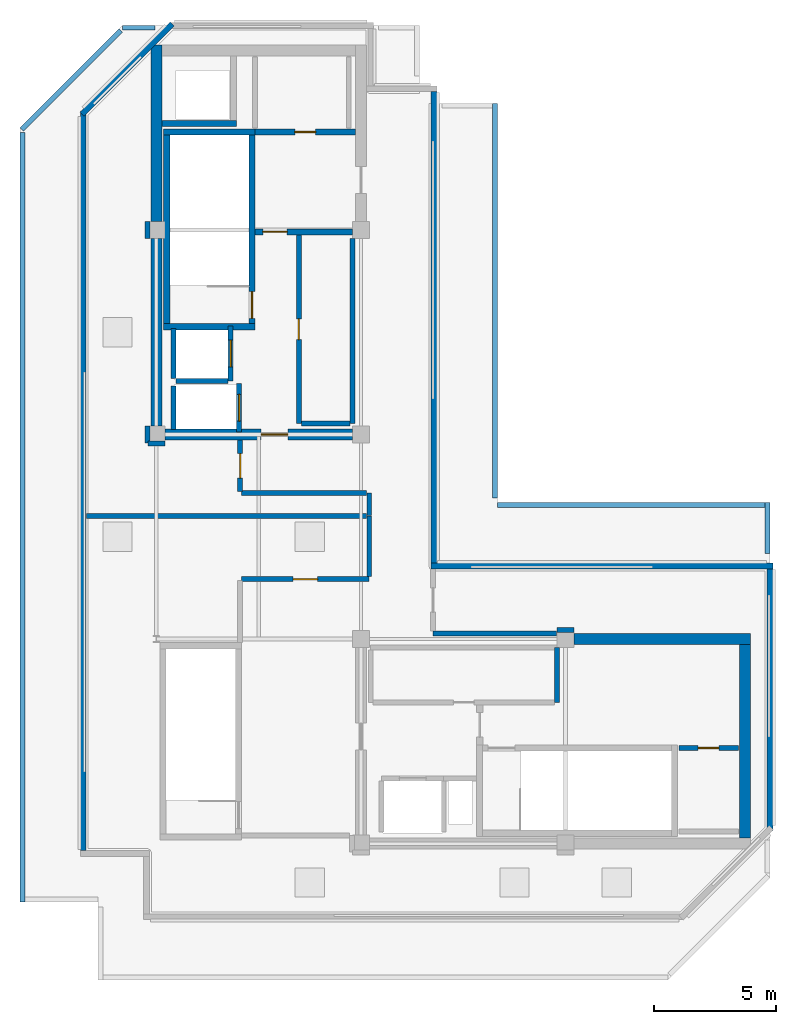
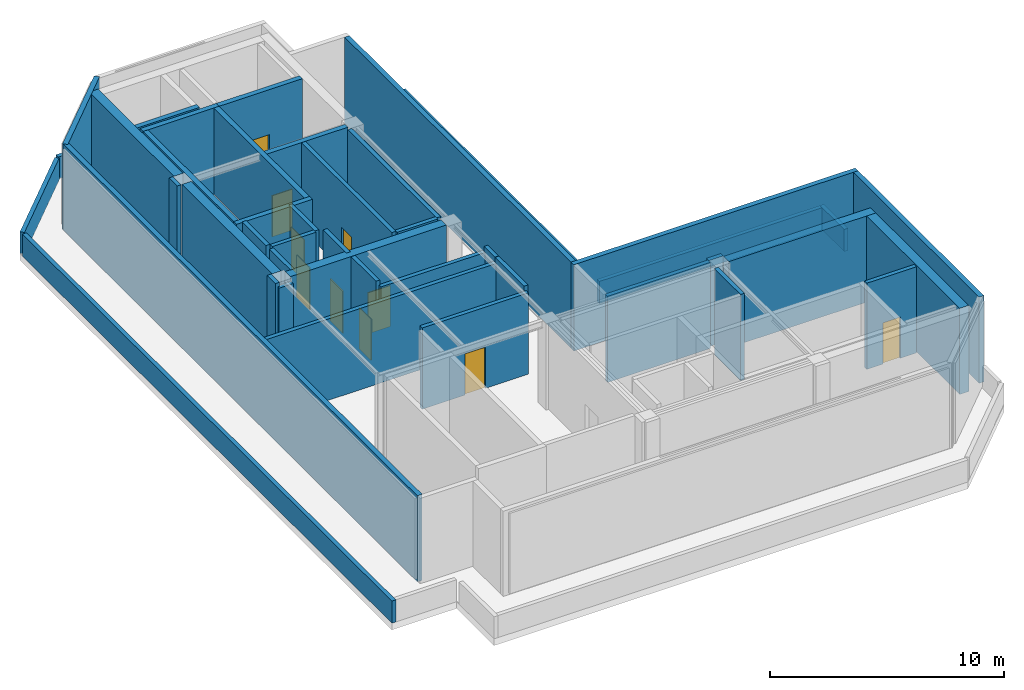
# One storey, part 3 of 5: 44 walls, 10 doors, 10 openings.
"""IFC4 building model written with IfcOpenShell, lengths in metres."""

from ifc_helpers import new_model, si_unit, direction, frame, frame_2d, origin, place, context, subcontext, project, spatial, rectangle, extrude, material, layer, layer_set, type_object, element, fill, save


model = new_model("IFC4")

# Units and contexts
model_context = context("Model", 3, precision=1e-05, world=origin(), true_north=direction((0.0, 1.0)))
body_context = subcontext(model_context, "Body", "Model", "MODEL_VIEW")
ifc_project = project(units=[si_unit("LENGTHUNIT", "METRE"), si_unit("AREAUNIT", "SQUARE_METRE"), si_unit("VOLUMEUNIT", "CUBIC_METRE"), si_unit("PLANEANGLEUNIT", "RADIAN"), si_unit("MASSUNIT", "GRAM", prefix="KILO")], contexts=[model_context])

# Site, building, storey
site_placement = place(None, origin())
site = spatial("IfcSite", under=ifc_project, at=site_placement, CompositionType="ELEMENT")
building_placement = place(site_placement, origin())
building = spatial("IfcBuilding", under=site, at=building_placement, Name="Nerrivon Quay Data Exchange", CompositionType="ELEMENT")
storey_placement = place(building_placement, frame((0.0, 0.0, 338.39990234375)))
storey = spatial("IfcBuildingStorey", under=building, at=storey_placement, Name="L80", CompositionType="ELEMENT", Elevation=338.39990234375)

# Walls
ifc_material_1 = material(Name="Architectural terracotta precast concrete N50 (50 MPa)", Category="masonry")
ifc_layer_1 = layer(ifc_material_1, 0.239990234375)
ifc_layer_set_1 = layer_set([ifc_layer_1], Name="Architectural terracotta precast concrete N50 (50 MPa)")
wall_type_1 = type_object("IfcWallType", Name="EW-PREC-240", PredefinedType="STANDARD", material=ifc_layer_set_1)
wall_1_placement = place(storey_placement, frame((5.39990234375, 8.1201171875, 0.0), z_axis=(0.0, 0.0, 1.0), x_axis=(0.0, 1.0, 0.0)))
element("IfcWall", 1, at=wall_1_placement, inside=storey, type_object=wall_type_1, Name="L80 Plant Enclosure Wall 5", PredefinedType="STANDARD", context=body_context, shape_type="SweptSolid", body=[
    extrude(rectangle(XDim=30.3544921875, YDim=0.239990234375, at=frame_2d((15.17724609375, 0.0))), origin(), (0.0, 0.0, 1.0), 4.5),
])
wall_2_placement = place(storey_placement, frame((5.34716796875, 38.34716796875, 0.0), z_axis=(0.0, 0.0, 1.0), x_axis=(0.707106781187, 0.707106781187, 0.0)))
element("IfcWall", 2, at=wall_2_placement, inside=storey, type_object=wall_type_1, Name="L80 Plant Enclosure Wall 6", PredefinedType="STANDARD", context=body_context, shape_type="SweptSolid", body=[
    extrude(rectangle(XDim=5.240478515625, YDim=0.239990234375, at=frame_2d((2.6201171875, 0.0))), origin(), (0.0, 0.0, 1.0), 4.5),
])
wall_3_placement = place(storey_placement, frame((19.800048828125, 39.280029296875, 0.0), z_axis=(0.0, 0.0, 1.0), x_axis=(0.0, -1.0, 0.0)))
element("IfcWall", 3, at=wall_3_placement, inside=storey, type_object=wall_type_1, Name="L80 Plant Enclosure Wall 10", PredefinedType="STANDARD", context=body_context, shape_type="SweptSolid", body=[
    extrude(rectangle(XDim=19.360107421875, YDim=0.239990234375, at=frame_2d((9.68017578125, 0.0))), origin(), (0.0, 0.0, 1.0), 4.5),
])
wall_4_placement = place(storey_placement, frame((19.679931640625, 19.800048828125, 0.0), z_axis=(0.0, 0.0, 1.0), x_axis=(1.0, 0.0, 0.0)))
element("IfcWall", 4, at=wall_4_placement, inside=storey, type_object=wall_type_1, Name="L80 Plant Enclosure Wall 11", PredefinedType="STANDARD", context=body_context, shape_type="SweptSolid", body=[
    extrude(rectangle(XDim=14.0400390625, YDim=0.239990234375, at=frame_2d((7.02001953125, 0.0))), origin(), (0.0, 0.0, 1.0), 4.5),
])
wall_5_placement = place(storey_placement, frame((33.60009765625, 19.679931640625, 0.0), z_axis=(0.0, 0.0, 1.0), x_axis=(0.0, -1.0, 0.0)))
element("IfcWall", 5, at=wall_5_placement, inside=storey, type_object=wall_type_1, Name="L80 Plant Enclosure Wall 12", PredefinedType="STANDARD", context=body_context, shape_type="SweptSolid", body=[
    extrude(rectangle(XDim=10.754638671875, YDim=0.239990234375, at=frame_2d((5.37744140625, 0.0))), origin(), (0.0, 0.0, 1.0), 4.5),
])
ifc_material_2 = material(Name="Precast concrete N50 (50 MPa)", Category="concrete")
ifc_layer_2 = layer(ifc_material_2, 0.199951171875)
ifc_layer_set_2 = layer_set([ifc_layer_2], Name="Precast concrete N50 (50 MPa)")
wall_type_2 = type_object("IfcWallType", Name="PAR-RC-1", PredefinedType="PARAPET", material=ifc_layer_set_2)
wall_6_placement = place(storey_placement, frame((8.347412109375, 41.89990234375, 0.0), z_axis=(0.0, 0.0, 1.0), x_axis=(-1.0, 0.0, 0.0)))
element("IfcWall", 6, at=wall_6_placement, inside=storey, type_object=wall_type_2, Name="L80 Stepped Crown Parapet 1.3", PredefinedType="PARAPET", context=body_context, shape_type="SweptSolid", body=[
    extrude(rectangle(XDim=1.347412109375, YDim=0.199951171875, at=frame_2d((0.673828125, 0.0))), origin(), (0.0, 0.0, 1.0), 1.150146484375),
])
wall_7_placement = place(storey_placement, frame((6.92919921875, 41.787841796875, 0.0), z_axis=(0.0, 0.0, 1.0), x_axis=(-0.707106781187, -0.707106781187, 0.0)))
element("IfcWall", 7, at=wall_7_placement, inside=storey, type_object=wall_type_2, Name="L80 Stepped Crown Parapet 1.4", PredefinedType="PARAPET", context=body_context, shape_type="SweptSolid", body=[
    extrude(rectangle(XDim=5.73974609375, YDim=0.199951171875, at=frame_2d((2.869873046875, 0.0))), origin(), (0.0, 0.0, 1.0), 1.150146484375),
])
wall_8_placement = place(storey_placement, frame((2.89990234375, 37.60009765625, 0.0), z_axis=(0.0, 0.0, 1.0), x_axis=(0.0, -1.0, 0.0)))
element("IfcWall", 8, at=wall_8_placement, inside=storey, type_object=wall_type_2, Name="L80 Stepped Crown Parapet 1.5", PredefinedType="PARAPET", context=body_context, shape_type="SweptSolid", body=[
    extrude(rectangle(XDim=31.60009765625, YDim=0.199951171875, at=frame_2d((15.800048828125, 0.0))), origin(), (0.0, 0.0, 1.0), 1.150146484375),
])
wall_9_placement = place(storey_placement, frame((33.5, 20.320068359375, 0.0), z_axis=(0.0, 0.0, 1.0), x_axis=(0.0, 1.0, 0.0)))
element("IfcWall", 9, at=wall_9_placement, inside=storey, type_object=wall_type_2, Name="L80 Stepped Crown Parapet 1.11", PredefinedType="PARAPET", context=body_context, shape_type="SweptSolid", body=[
    extrude(rectangle(XDim=2.079833984375, YDim=0.199951171875, at=frame_2d((1.0400390625, 0.0))), origin(), (0.0, 0.0, 1.0), 1.150146484375),
])
wall_10_placement = place(storey_placement, frame((33.39990234375, 22.300048828125, 0.0), z_axis=(0.0, 0.0, 1.0), x_axis=(-1.0, 0.0, 0.0)))
element("IfcWall", 10, at=wall_10_placement, inside=storey, type_object=wall_type_2, Name="L80 Stepped Crown Parapet 1.12", PredefinedType="PARAPET", context=body_context, shape_type="SweptSolid", body=[
    extrude(rectangle(XDim=11.0, YDim=0.199951171875, at=frame_2d((5.5, 0.0))), origin(), (0.0, 0.0, 1.0), 1.150146484375),
])
wall_11_placement = place(storey_placement, frame((22.300048828125, 22.60009765625, 0.0), z_axis=(0.0, 0.0, 1.0), x_axis=(0.0, 1.0, 0.0)))
element("IfcWall", 11, at=wall_11_placement, inside=storey, type_object=wall_type_2, Name="L80 Stepped Crown Parapet 1.13", PredefinedType="PARAPET", context=body_context, shape_type="SweptSolid", body=[
    extrude(rectangle(XDim=16.199951171875, YDim=0.199951171875, at=frame_2d((8.10009765625, 0.0))), origin(), (0.0, 0.0, 1.0), 1.150146484375),
])
ifc_material_3 = material(Name="Concrete N50 (50 MPa)", Category="concrete")
ifc_layer_3 = layer(ifc_material_3, 0.449951171875)
ifc_layer_set_3 = layer_set([ifc_layer_3], Name="Concrete N50 (50 MPa)")
wall_type_3 = type_object("IfcWallType", Name="WALL-CW-550", PredefinedType="SHEAR", material=ifc_layer_set_3)
wall_12_placement = place(storey_placement, frame((8.39990234375, 25.550048828125, 0.0), z_axis=(0.0, 0.0, 1.0), x_axis=(0.0, 1.0, 0.0)))
element("IfcWall", 12, at=wall_12_placement, inside=storey, type_object=wall_type_3, Name="L80 West Split-Core Shear Wall WCW-W1", PredefinedType="SHEAR", context=body_context, shape_type="SweptSolid", body=[
    extrude(rectangle(XDim=7.699951171875, YDim=0.449951171875, at=frame_2d((3.85009765625, 0.0))), origin(), (0.0, 0.0, 1.0), 4.5),
])
wall_13_placement = place(storey_placement, frame((8.39990234375, 33.949951171875, 0.0), z_axis=(0.0, 0.0, 1.0), x_axis=(0.0, 1.0, 0.0)))
element("IfcWall", 13, at=wall_13_placement, inside=storey, type_object=wall_type_3, Name="L80 West Split-Core Shear Wall WCW-W2", PredefinedType="SHEAR", context=body_context, shape_type="SweptSolid", body=[
    extrude(rectangle(XDim=7.25, YDim=0.449951171875, at=frame_2d((3.625, 0.0))), origin(), (0.0, 0.0, 1.0), 4.5),
])

# Wall, opening, door
wall_14_placement = place(storey_placement, frame((8.75, 25.199951171875, 0.0), z_axis=(0.0, 0.0, 1.0), x_axis=(1.0, 0.0, 0.0)))
wall_14 = element("IfcWall", 14, at=wall_14_placement, inside=storey, type_object=wall_type_3, Name="L80 West Split-Core Shear Wall WCW-S1", PredefinedType="SHEAR", context=body_context, shape_type="SweptSolid", body=[
    extrude(rectangle(XDim=7.699951171875, YDim=0.449951171875, at=frame_2d((3.85009765625, 0.0))), origin(), (0.0, 0.0, 1.0), 4.5),
])
opening_1_placement = place(wall_14_placement, frame((3.949951171875, 0.0, 0.0)))
opening_1 = element("IfcOpeningElement", 15, at=opening_1_placement, cuts=wall_14, Name="Opening FD-120", PredefinedType="OPENING", context=body_context, shape_type="SweptSolid", body=[
    extrude(rectangle(XDim=1.10009765625, YDim=2.14990234375, at=frame_2d((0.550048828125, 1.074951171875))), frame((0.0, 0.23486328125, 0.0), z_axis=(0.0, -1.0, 0.0), x_axis=(1.0, 0.0, 0.0)), (0.0, 0.0, 1.0), 0.469970703125),
])
ifc_material_4 = material(Name="Powder-coated galvanized steel sheet", Category="steel")
door_type_1 = type_object("IfcDoorType", Name="DR-FD120-1100", OperationType="NOTDEFINED", PredefinedType="DOOR", material=ifc_material_4)
door_1_placement = place(opening_1_placement, origin())
door_1 = element("IfcDoor", 16, at=door_1_placement, inside=storey, type_object=door_type_1, Name="L80 West Core Lobby Fire Door", OperationType="SINGLE_SWING_LEFT", OverallHeight=2.14990234375, OverallWidth=1.10009765625, PredefinedType="DOOR", context=body_context, shape_type="SweptSolid", body=[
    extrude(rectangle(XDim=1.10009765625, YDim=2.14990234375, at=frame_2d((0.550048828125, 1.074951171875))), frame((0.0, 0.02490234375, 0.0), z_axis=(0.0, -1.0, 0.0), x_axis=(1.0, 0.0, 0.0)), (0.0, 0.0, 1.0), 0.050048828125),
])
fill(opening_1, door_1)

# Walls
wall_15_placement = place(storey_placement, frame((32.574951171875, 8.625, 0.0), z_axis=(0.0, 0.0, 1.0), x_axis=(0.0, 1.0, 0.0)))
element("IfcWall", 17, at=wall_15_placement, inside=storey, type_object=wall_type_3, Name="L80 East Split-Core Shear Wall ECW-E1", PredefinedType="SHEAR", context=body_context, shape_type="SweptSolid", body=[
    extrude(rectangle(XDim=7.949951171875, YDim=0.449951171875, at=frame_2d((3.97509765625, 0.0))), origin(), (0.0, 0.0, 1.0), 4.5),
])
wall_16_placement = place(storey_placement, frame((25.550048828125, 16.800048828125, 0.0), z_axis=(0.0, 0.0, 1.0), x_axis=(1.0, 0.0, 0.0)))
element("IfcWall", 18, at=wall_16_placement, inside=storey, type_object=wall_type_3, Name="L80 East Split-Core Shear Wall ECW-N1", PredefinedType="SHEAR", context=body_context, shape_type="SweptSolid", body=[
    extrude(rectangle(XDim=7.25, YDim=0.449951171875, at=frame_2d((3.625, 0.0))), origin(), (0.0, 0.0, 1.0), 4.5),
])

# Wall, opening, door
ifc_material_5 = material(Name="Gypsum plasterboard on cold-formed framing", Category="gypsum")
ifc_layer_4 = layer(ifc_material_5, 0.199951171875)
ifc_layer_set_4 = layer_set([ifc_layer_4], Name="Gypsum plasterboard on cold-formed framing")
wall_type_4 = type_object("IfcWallType", Name="WALL-FW-200", PredefinedType="PARTITIONING", material=ifc_layer_set_4)
wall_17_placement = place(storey_placement, frame((11.449951171875, 27.39990234375, 0.0), z_axis=(0.0, 0.0, 1.0), x_axis=(0.0, 1.0, 0.0)))
wall_17 = element("IfcWall", 19, at=wall_17_placement, inside=storey, type_object=wall_type_4, Name="L80 Lift Front Wall FFL-1", PredefinedType="PARTITIONING", context=body_context, shape_type="SweptSolid", body=[
    extrude(rectangle(XDim=2.25, YDim=0.199951171875, at=frame_2d((1.125, 0.0))), origin(), (0.0, 0.0, 1.0), 4.5),
])
opening_2_placement = place(wall_17_placement, frame((0.574951171875, 0.0, 0.0)))
opening_2 = element("IfcOpeningElement", 20, at=opening_2_placement, cuts=wall_17, Name="Opening LD-120", PredefinedType="OPENING", context=body_context, shape_type="SweptSolid", body=[
    extrude(rectangle(XDim=1.10009765625, YDim=2.199951171875, at=frame_2d((0.550048828125, 1.10009765625))), frame((0.0, 0.10986328125, 0.0), z_axis=(0.0, -1.0, 0.0), x_axis=(1.0, 0.0, 0.0)), (0.0, 0.0, 1.0), 0.219970703125),
])
door_type_2 = type_object("IfcDoorType", Name="DR-LIFT-LD120", OperationType="DOUBLE_DOOR_SLIDING", PredefinedType="DOOR", material=ifc_material_4)
door_2_placement = place(opening_2_placement, origin())
door_2 = element("IfcDoor", 21, at=door_2_placement, inside=storey, type_object=door_type_2, Name="L80 Lift Landing Sliding Door FFL-1", OperationType="DOUBLE_DOOR_SLIDING", OverallHeight=2.199951171875, OverallWidth=1.10009765625, PredefinedType="DOOR", context=body_context, shape_type="SweptSolid", body=[
    extrude(rectangle(XDim=1.10009765625, YDim=2.199951171875, at=frame_2d((0.550048828125, 1.10009765625))), frame((0.0, 0.02490234375, 0.0), z_axis=(0.0, -1.0, 0.0), x_axis=(1.0, 0.0, 0.0)), (0.0, 0.0, 1.0), 0.050048828125),
])
fill(opening_2, door_2)

# Walls
wall_18_placement = place(storey_placement, frame((9.10009765625, 27.5, 0.0), z_axis=(0.0, 0.0, 1.0), x_axis=(0.0, 1.0, 0.0)))
element("IfcWall", 22, at=wall_18_placement, inside=storey, type_object=wall_type_4, Name="L80 Lift Shaft Wall FFL-1 WEST", PredefinedType="PARTITIONING", context=body_context, shape_type="SweptSolid", body=[
    extrude(rectangle(XDim=2.050048828125, YDim=0.199951171875, at=frame_2d((1.02490234375, 0.0))), origin(), (0.0, 0.0, 1.0), 4.5),
])
wall_19_placement = place(storey_placement, frame((9.199951171875, 27.39990234375, 0.0), z_axis=(0.0, 0.0, 1.0), x_axis=(1.0, 0.0, 0.0)))
element("IfcWall", 23, at=wall_19_placement, inside=storey, type_object=wall_type_4, Name="L80 Lift Shaft Wall FFL-1 SOUTH", PredefinedType="PARTITIONING", context=body_context, shape_type="SweptSolid", body=[
    extrude(rectangle(XDim=2.150146484375, YDim=0.199951171875, at=frame_2d((1.0751953125, 0.0))), origin(), (0.0, 0.0, 1.0), 4.5),
])

# Wall, opening, door
wall_20_placement = place(storey_placement, frame((11.800048828125, 25.300048828125, 0.0), z_axis=(0.0, 0.0, 1.0), x_axis=(0.0, 1.0, 0.0)))
wall_20 = element("IfcWall", 24, at=wall_20_placement, inside=storey, type_object=wall_type_4, Name="L80 Lift Front Wall SVL-1", PredefinedType="PARTITIONING", context=body_context, shape_type="SweptSolid", body=[
    extrude(rectangle(XDim=2.0, YDim=0.199951171875, at=frame_2d((1.0, 0.0))), origin(), (0.0, 0.0, 1.0), 4.5),
])
opening_3_placement = place(wall_20_placement, frame((0.449951171875, 0.0, 0.0)))
opening_3 = element("IfcOpeningElement", 25, at=opening_3_placement, cuts=wall_20, Name="Opening LD-120", PredefinedType="OPENING", context=body_context, shape_type="SweptSolid", body=[
    extrude(rectangle(XDim=1.10009765625, YDim=2.199951171875, at=frame_2d((0.550048828125, 1.10009765625))), frame((0.0, 0.10986328125, 0.0), z_axis=(0.0, -1.0, 0.0), x_axis=(1.0, 0.0, 0.0)), (0.0, 0.0, 1.0), 0.219970703125),
])
door_3_placement = place(opening_3_placement, origin())
door_3 = element("IfcDoor", 26, at=door_3_placement, inside=storey, type_object=door_type_2, Name="L80 Lift Landing Sliding Door SVL-1", OperationType="DOUBLE_DOOR_SLIDING", OverallHeight=2.199951171875, OverallWidth=1.10009765625, PredefinedType="DOOR", context=body_context, shape_type="SweptSolid", body=[
    extrude(rectangle(XDim=1.10009765625, YDim=2.199951171875, at=frame_2d((0.550048828125, 1.10009765625))), frame((0.0, 0.02490234375, 0.0), z_axis=(0.0, -1.0, 0.0), x_axis=(1.0, 0.0, 0.0)), (0.0, 0.0, 1.0), 0.050048828125),
])
fill(opening_3, door_3)

# Walls
wall_21_placement = place(storey_placement, frame((9.10009765625, 25.39990234375, 0.0), z_axis=(0.0, 0.0, 1.0), x_axis=(0.0, 1.0, 0.0)))
element("IfcWall", 27, at=wall_21_placement, inside=storey, type_object=wall_type_4, Name="L80 Lift Shaft Wall SVL-1 WEST", PredefinedType="PARTITIONING", context=body_context, shape_type="SweptSolid", body=[
    extrude(rectangle(XDim=1.800048828125, YDim=0.199951171875, at=frame_2d((0.89990234375, 0.0))), origin(), (0.0, 0.0, 1.0), 4.5),
])
wall_22_placement = place(storey_placement, frame((16.449951171875, 25.64990234375, 0.0), z_axis=(0.0, 0.0, 1.0), x_axis=(0.0, 1.0, 0.0)))
element("IfcWall", 28, at=wall_22_placement, inside=storey, type_object=wall_type_4, Name="L80 Partition Telemetry Hub Closet", PredefinedType="PARTITIONING", context=body_context, shape_type="SweptSolid", body=[
    extrude(rectangle(XDim=7.59521484375, YDim=0.199951171875, at=frame_2d((3.797607421875, 0.0))), origin(), (0.0, 0.0, 1.0), 4.5),
])

# Wall, opening, door
wall_23_placement = place(storey_placement, frame((14.25, 33.389892578125, 0.0), z_axis=(0.0, 0.0, 1.0), x_axis=(0.0, -1.0, 0.0)))
wall_23 = element("IfcWall", 29, at=wall_23_placement, inside=storey, type_object=wall_type_4, Name="L80 Partition Telemetry Hub Closet", PredefinedType="PARTITIONING", context=body_context, shape_type="SweptSolid", body=[
    extrude(rectangle(XDim=7.739990234375, YDim=0.199951171875, at=frame_2d((3.8701171875, 0.0))), origin(), (0.0, 0.0, 1.0), 4.5),
])
opening_4_placement = place(wall_23_placement, frame((3.445068359375, 0.0, 0.0)))
opening_4 = element("IfcOpeningElement", 30, at=opening_4_placement, cuts=wall_23, Name="Opening FD-60S", PredefinedType="OPENING", context=body_context, shape_type="SweptSolid", body=[
    extrude(rectangle(XDim=0.85009765625, YDim=2.14990234375, at=frame_2d((0.425048828125, 1.074951171875))), frame((0.0, 0.10986328125, 0.0), z_axis=(0.0, -1.0, 0.0), x_axis=(1.0, 0.0, 0.0)), (0.0, 0.0, 1.0), 0.219970703125),
])
ifc_material_6 = material(Name="Engineered hardwood timber", Category="wood")
door_type_3 = type_object("IfcDoorType", Name="DR-FD60-850", OperationType="NOTDEFINED", PredefinedType="DOOR", material=ifc_material_6)
door_4_placement = place(opening_4_placement, origin())
door_4 = element("IfcDoor", 31, at=door_4_placement, inside=storey, type_object=door_type_3, Name="L80 Door Telemetry Hub Closet", OperationType="SINGLE_SWING_RIGHT", OverallHeight=2.14990234375, OverallWidth=0.85009765625, PredefinedType="DOOR", context=body_context, shape_type="SweptSolid", body=[
    extrude(rectangle(XDim=0.85009765625, YDim=2.14990234375, at=frame_2d((0.425048828125, 1.074951171875))), frame((0.0, 0.02490234375, 0.0), z_axis=(0.0, -1.0, 0.0), x_axis=(1.0, 0.0, 0.0)), (0.0, 0.0, 1.0), 0.050048828125),
])
fill(opening_4, door_4)

# Walls
wall_24_placement = place(storey_placement, frame((14.35400390625, 25.64990234375, 0.0), z_axis=(0.0, 0.0, 1.0), x_axis=(1.0, 0.0, 0.0)))
element("IfcWall", 32, at=wall_24_placement, inside=storey, type_object=wall_type_4, Name="L80 Partition Telemetry Hub Closet", PredefinedType="PARTITIONING", context=body_context, shape_type="SweptSolid", body=[
    extrude(rectangle(XDim=1.991943359375, YDim=0.199951171875, at=frame_2d((0.99609375, 0.0))), origin(), (0.0, 0.0, 1.0), 4.5),
])
wall_25_placement = place(storey_placement, frame((24.85009765625, 14.199951171875, 0.0), z_axis=(0.0, 0.0, 1.0), x_axis=(0.0, 1.0, 0.0)))
element("IfcWall", 33, at=wall_25_placement, inside=storey, type_object=wall_type_4, Name="L80 Partition High-Zone Telemetry Equipment Store", PredefinedType="PARTITIONING", context=body_context, shape_type="SweptSolid", body=[
    extrude(rectangle(XDim=2.2451171875, YDim=0.199951171875, at=frame_2d((1.12255859375, 0.0))), origin(), (0.0, 0.0, 1.0), 4.5),
])

# Wall, opening, door
wall_26_placement = place(storey_placement, frame((32.300048828125, 12.330078125, 0.0), z_axis=(0.0, 0.0, 1.0), x_axis=(-1.0, 0.0, 0.0)))
wall_26 = element("IfcWall", 34, at=wall_26_placement, inside=storey, type_object=wall_type_4, Name="L80 Partition East Telecom Closet", PredefinedType="PARTITIONING", context=body_context, shape_type="SweptSolid", body=[
    extrude(rectangle(XDim=2.449951171875, YDim=0.199951171875, at=frame_2d((1.22509765625, 0.0))), origin(), (0.0, 0.0, 1.0), 4.5),
])
opening_5_placement = place(wall_26_placement, frame((0.800048828125, 0.0, 0.0)))
opening_5 = element("IfcOpeningElement", 35, at=opening_5_placement, cuts=wall_26, Name="Opening FD-60S", PredefinedType="OPENING", context=body_context, shape_type="SweptSolid", body=[
    extrude(rectangle(XDim=0.85009765625, YDim=2.14990234375, at=frame_2d((0.425048828125, 1.074951171875))), frame((0.0, 0.10986328125, 0.0), z_axis=(0.0, -1.0, 0.0), x_axis=(1.0, 0.0, 0.0)), (0.0, 0.0, 1.0), 0.219970703125),
])
door_5_placement = place(opening_5_placement, origin())
door_5 = element("IfcDoor", 36, at=door_5_placement, inside=storey, type_object=door_type_3, Name="L80 Door East Telecom Closet", OperationType="SINGLE_SWING_LEFT", OverallHeight=2.14990234375, OverallWidth=0.85009765625, PredefinedType="DOOR", context=body_context, shape_type="SweptSolid", body=[
    extrude(rectangle(XDim=0.85009765625, YDim=2.14990234375, at=frame_2d((0.425048828125, 1.074951171875))), frame((0.0, 0.02490234375, 0.0), z_axis=(0.0, -1.0, 0.0), x_axis=(1.0, 0.0, 0.0)), (0.0, 0.0, 1.0), 0.050048828125),
])
fill(opening_5, door_5)

wall_27_placement = place(storey_placement, frame((11.89990234375, 19.260009765625, 0.0), z_axis=(0.0, 0.0, 1.0), x_axis=(1.0, 0.0, 0.0)))
wall_27 = element("IfcWall", 37, at=wall_27_placement, inside=storey, type_object=wall_type_4, Name="L80 Partition Crown Overrun Motor & Switchgear Plant Room", PredefinedType="PARTITIONING", context=body_context, shape_type="SweptSolid", body=[
    extrude(rectangle(XDim=5.239990234375, YDim=0.199951171875, at=frame_2d((2.6201171875, 0.0))), origin(), (0.0, 0.0, 1.0), 4.244140625),
])
opening_6_placement = place(wall_27_placement, frame((2.1201171875, 0.0, 0.0)))
opening_6 = element("IfcOpeningElement", 38, at=opening_6_placement, cuts=wall_27, Name="Opening FD-60", PredefinedType="OPENING", context=body_context, shape_type="SweptSolid", body=[
    extrude(rectangle(XDim=1.0, YDim=2.14990234375, at=frame_2d((0.5, 1.074951171875))), frame((0.0, 0.10986328125, 0.0), z_axis=(0.0, -1.0, 0.0), x_axis=(1.0, 0.0, 0.0)), (0.0, 0.0, 1.0), 0.219970703125),
])
door_type_4 = type_object("IfcDoorType", Name="DR-FD60-1000", OperationType="NOTDEFINED", PredefinedType="DOOR", material=ifc_material_6)
door_6_placement = place(opening_6_placement, origin())
door_6 = element("IfcDoor", 39, at=door_6_placement, inside=storey, type_object=door_type_4, Name="L80 Door Crown Overrun Motor & Switchgear Plant Room", OperationType="SINGLE_SWING_RIGHT", OverallHeight=2.14990234375, OverallWidth=1.0, PredefinedType="DOOR", context=body_context, shape_type="SweptSolid", body=[
    extrude(rectangle(XDim=1.0, YDim=2.14990234375, at=frame_2d((0.5, 1.074951171875))), frame((0.0, 0.02490234375, 0.0), z_axis=(0.0, -1.0, 0.0), x_axis=(1.0, 0.0, 0.0)), (0.0, 0.0, 1.0), 0.050048828125),
])
fill(opening_6, door_6)

# Walls
wall_28_placement = place(storey_placement, frame((17.139892578125, 19.364013671875, 0.0), z_axis=(0.0, 0.0, 1.0), x_axis=(0.0, 1.0, 0.0)))
element("IfcWall", 40, at=wall_28_placement, inside=storey, type_object=wall_type_4, Name="L80 Partition Crown Overrun Motor & Switchgear Plant Room", PredefinedType="PARTITIONING", context=body_context, shape_type="SweptSolid", body=[
    extrude(rectangle(XDim=2.4814453125, YDim=0.199951171875, at=frame_2d((1.24072265625, 0.0))), origin(), (0.0, 0.0, 1.0), 4.5),
])
wall_29_placement = place(storey_placement, frame((17.035888671875, 21.845458984375, 0.0), z_axis=(0.0, 0.0, 1.0), x_axis=(-1.0, 0.0, 0.0)))
element("IfcWall", 41, at=wall_29_placement, inside=storey, type_object=wall_type_4, Name="L80 Partition Crown Overrun Motor & Switchgear Plant Room", PredefinedType="PARTITIONING", context=body_context, shape_type="SweptSolid", body=[
    extrude(rectangle(XDim=11.511962890625, YDim=0.199951171875, at=frame_2d((5.755859375, 0.0))), origin(), (0.0, 0.0, 1.0), 4.244140625),
])
wall_30_placement = place(storey_placement, frame((17.139892578125, 21.865478515625, 0.0), z_axis=(0.0, 0.0, 1.0), x_axis=(0.0, 1.0, 0.0)))
element("IfcWall", 42, at=wall_30_placement, inside=storey, type_object=wall_type_4, Name="L80 Partition Roof Pressurisation Fan Plant Room", PredefinedType="PARTITIONING", context=body_context, shape_type="SweptSolid", body=[
    extrude(rectangle(XDim=0.924560546875, YDim=0.199951171875, at=frame_2d((0.46240234375, 0.0))), origin(), (0.0, 0.0, 1.0), 4.5),
])
wall_31_placement = place(storey_placement, frame((17.035888671875, 22.7900390625, 0.0), z_axis=(0.0, 0.0, 1.0), x_axis=(-1.0, 0.0, 0.0)))
element("IfcWall", 43, at=wall_31_placement, inside=storey, type_object=wall_type_4, Name="L80 Partition Roof Pressurisation Fan Plant Room", PredefinedType="PARTITIONING", context=body_context, shape_type="SweptSolid", body=[
    extrude(rectangle(XDim=5.135986328125, YDim=0.199951171875, at=frame_2d((2.56787109375, 0.0))), origin(), (0.0, 0.0, 1.0), 4.244140625),
])

# Wall, opening, door
wall_32_placement = place(storey_placement, frame((11.840087890625, 22.85009765625, 0.0), z_axis=(0.0, 0.0, 1.0), x_axis=(0.0, 1.0, 0.0)))
wall_32 = element("IfcWall", 44, at=wall_32_placement, inside=storey, type_object=wall_type_4, Name="L80 Partition Roof Pressurisation Fan Plant Room", PredefinedType="PARTITIONING", context=body_context, shape_type="SweptSolid", body=[
    extrude(rectangle(XDim=2.120849609375, YDim=0.199951171875, at=frame_2d((1.060546875, 0.0))), origin(), (0.0, 0.0, 1.0), 4.5),
])
opening_7_placement = place(wall_32_placement, frame((0.560546875, 0.0, 0.0)))
opening_7 = element("IfcOpeningElement", 45, at=opening_7_placement, cuts=wall_32, Name="Opening FD-60", PredefinedType="OPENING", context=body_context, shape_type="SweptSolid", body=[
    extrude(rectangle(XDim=1.0, YDim=2.14990234375, at=frame_2d((0.5, 1.074951171875))), frame((0.0, 0.10986328125, 0.0), z_axis=(0.0, -1.0, 0.0), x_axis=(1.0, 0.0, 0.0)), (0.0, 0.0, 1.0), 0.219970703125),
])
door_7_placement = place(opening_7_placement, origin())
door_7 = element("IfcDoor", 46, at=door_7_placement, inside=storey, type_object=door_type_4, Name="L80 Door Roof Pressurisation Fan Plant Room", OperationType="SINGLE_SWING_LEFT", OverallHeight=2.14990234375, OverallWidth=1.0, PredefinedType="DOOR", context=body_context, shape_type="SweptSolid", body=[
    extrude(rectangle(XDim=1.0, YDim=2.14990234375, at=frame_2d((0.5, 1.074951171875))), frame((0.0, 0.02490234375, 0.0), z_axis=(0.0, -1.0, 0.0), x_axis=(1.0, 0.0, 0.0)), (0.0, 0.0, 1.0), 0.050048828125),
])
fill(opening_7, door_7)

# Walls
wall_33_placement = place(storey_placement, frame((8.75390625, 24.830322265625, 0.0), z_axis=(0.0, 0.0, 1.0), x_axis=(-0.999999939844, -0.000346860888, 0.0)))
element("IfcWall", 47, at=wall_33_placement, inside=storey, type_object=wall_type_4, Name="L80 Partition Roof Pressurisation Fan Plant Room", PredefinedType="PARTITIONING", context=body_context, shape_type="SweptSolid", body=[
    extrude(rectangle(XDim=0.703857421875, YDim=0.199951171875, at=frame_2d((0.35205078125, 0.0))), origin(), (0.0, 0.0, 1.0), 4.293212890625),
])
for number, where, z_axis, x_axis, name in (
    (48, (8.030029296875, 24.85009765625, 0.0), (0.0, 0.0, 1.0), (0.000693721651, 0.999999759375, 0.0), "L80 Partition Roof Pressurisation Fan Plant Room"),
    (49, (8.030517578125, 33.24609375, 0.0), (0.0, 0.0, 1.0), (-0.000693721651, 0.999999759375, 0.0), "L80 Partition Roof Pressurisation Fan Plant Room"),
):
    element("IfcWall", number, at=place(storey_placement, frame(where, z_axis=z_axis, x_axis=x_axis)), inside=storey, type_object=wall_type_4, Name=name, PredefinedType="PARTITIONING", context=body_context, shape_type="SweptSolid", body=[
        extrude(rectangle(XDim=0.703857421875, YDim=0.199951171875, at=frame_2d((0.35205078125, 0.0))), origin(), (0.0, 0.0, 1.0), 4.5),
    ])
wall_34_placement = place(storey_placement, frame((19.760009765625, 17.02490234375, 0.0), z_axis=(0.0, 0.0, 1.0), x_axis=(1.0, 0.0, 0.0)))
element("IfcWall", 50, at=wall_34_placement, inside=storey, type_object=wall_type_4, Name="L80 Partition Fire Booster Water Pump Room", PredefinedType="PARTITIONING", context=body_context, shape_type="SweptSolid", body=[
    extrude(rectangle(XDim=5.070068359375, YDim=0.199951171875, at=frame_2d((2.53515625, 0.0))), origin(), (0.0, 0.0, 1.0), 4.5),
])
wall_35_placement = place(storey_placement, frame((24.84619140625, 17.169677734375, 0.0), z_axis=(0.0, 0.0, 1.0), x_axis=(0.999999939844, 0.000346860888, 0.0)))
element("IfcWall", 51, at=wall_35_placement, inside=storey, type_object=wall_type_4, Name="L80 Partition Fire Booster Water Pump Room", PredefinedType="PARTITIONING", context=body_context, shape_type="SweptSolid", body=[
    extrude(rectangle(XDim=0.703857421875, YDim=0.199951171875, at=frame_2d((0.35205078125, 0.0))), origin(), (0.0, 0.0, 1.0), 4.5),
])
ifc_layer_5 = layer(ifc_material_3, 0.25)
ifc_layer_set_5 = layer_set([ifc_layer_5], Name="Concrete N50 (50 MPa)")
wall_type_5 = type_object("IfcWallType", Name="WALL-SW-250", PredefinedType="SHEAR", material=ifc_layer_set_5)
for number, where, z_axis, x_axis, name in (
    (52, (12.449951171875, 29.625, 0.0), (0.0, 0.0, 1.0), (-1.0, 0.0, 0.0), "L80 ST01 Structural Stair Core Wall NEAR"),
    (53, (12.449951171875, 37.625, 0.0), (0.0, 0.0, 1.0), (-1.0, 0.0, 0.0), "L80 ST01 Structural Stair Core Wall FAR"),
):
    element("IfcWall", number, at=place(storey_placement, frame(where, z_axis=z_axis, x_axis=x_axis)), inside=storey, type_object=wall_type_5, Name=name, PredefinedType="SHEAR", context=body_context, shape_type="SweptSolid", body=[
        extrude(rectangle(XDim=3.75, YDim=0.25, at=frame_2d((1.875, 0.0))), origin(), (0.0, 0.0, 1.0), 4.5),
    ])

# Wall, opening, door
wall_36_placement = place(storey_placement, frame((12.324951171875, 29.75, 0.0), z_axis=(0.0, 0.0, 1.0), x_axis=(0.0, 1.0, 0.0)))
wall_36 = element("IfcWall", 54, at=wall_36_placement, inside=storey, type_object=wall_type_5, Name="L80 ST01 Structural Stair Core Wall LEFT", PredefinedType="SHEAR", context=body_context, shape_type="SweptSolid", body=[
    extrude(rectangle(XDim=7.75, YDim=0.25, at=frame_2d((3.875, 0.0))), origin(), (0.0, 0.0, 1.0), 4.5),
])
opening_8_placement = place(wall_36_placement, frame((0.219970703125, 0.0, 0.0)))
opening_8 = element("IfcOpeningElement", 55, at=opening_8_placement, cuts=wall_36, Name="Opening FD-120", PredefinedType="OPENING", context=body_context, shape_type="SweptSolid", body=[
    extrude(rectangle(XDim=1.10009765625, YDim=2.14990234375, at=frame_2d((0.550048828125, 1.074951171875))), frame((0.0, 0.135009765625, 0.0), z_axis=(0.0, -1.0, 0.0), x_axis=(1.0, 0.0, 0.0)), (0.0, 0.0, 1.0), 0.27001953125),
])
door_8_placement = place(opening_8_placement, origin())
door_8 = element("IfcDoor", 56, at=door_8_placement, inside=storey, type_object=door_type_1, Name="L80 Protected Stair Door ST01", OperationType="SINGLE_SWING_LEFT", OverallHeight=2.14990234375, OverallWidth=1.10009765625, PredefinedType="DOOR", context=body_context, shape_type="SweptSolid", body=[
    extrude(rectangle(XDim=1.10009765625, YDim=2.14990234375, at=frame_2d((0.550048828125, 1.074951171875))), frame((0.0, 0.02490234375, 0.0), z_axis=(0.0, -1.0, 0.0), x_axis=(1.0, 0.0, 0.0)), (0.0, 0.0, 1.0), 0.050048828125),
])
fill(opening_8, door_8)

# Walls
wall_37_placement = place(storey_placement, frame((8.824951171875, 29.75, 0.0), z_axis=(0.0, 0.0, 1.0), x_axis=(0.0, 1.0, 0.0)))
element("IfcWall", 57, at=wall_37_placement, inside=storey, type_object=wall_type_5, Name="L80 ST01 Structural Stair Core Wall RIGHT", PredefinedType="SHEAR", context=body_context, shape_type="SweptSolid", body=[
    extrude(rectangle(XDim=7.75, YDim=0.25, at=frame_2d((3.875, 0.0))), origin(), (0.0, 0.0, 1.0), 4.5),
])
wall_38_placement = place(storey_placement, frame((8.625, 37.97509765625, 0.0), z_axis=(0.0, 0.0, 1.0), x_axis=(1.0, 0.0, 0.0)))
element("IfcWall", 58, at=wall_38_placement, inside=storey, type_object=wall_type_5, Name="L80 West Core MEP Riser Shaft Wall S", PredefinedType="SHEAR", context=body_context, shape_type="SweptSolid", body=[
    extrude(rectangle(XDim=3.074951171875, YDim=0.25, at=frame_2d((1.53759765625, 0.0))), origin(), (0.0, 0.0, 1.0), 4.5),
])

# Wall, opening, door
wall_39_placement = place(storey_placement, frame((12.449951171875, 33.52001953125, 0.0), z_axis=(0.0, 0.0, 1.0), x_axis=(1.0, 0.0, 0.0)))
wall_39 = element("IfcWall", 59, at=wall_39_placement, inside=storey, type_object=wall_type_5, Name="L80 West Lobby Smoke-Stop Wall", PredefinedType="SHEAR", context=body_context, shape_type="SweptSolid", body=[
    extrude(rectangle(XDim=4.0, YDim=0.25, at=frame_2d((2.0, 0.0))), origin(), (0.0, 0.0, 1.0), 4.5),
])
opening_9_placement = place(wall_39_placement, frame((0.320068359375, 0.0, 0.0)))
opening_9 = element("IfcOpeningElement", 60, at=opening_9_placement, cuts=wall_39, Name="Opening FD-60", PredefinedType="OPENING", context=body_context, shape_type="SweptSolid", body=[
    extrude(rectangle(XDim=1.0, YDim=2.14990234375, at=frame_2d((0.5, 1.074951171875))), frame((0.0, 0.135009765625, 0.0), z_axis=(0.0, -1.0, 0.0), x_axis=(1.0, 0.0, 0.0)), (0.0, 0.0, 1.0), 0.27001953125),
])
door_9_placement = place(opening_9_placement, origin())
door_9 = element("IfcDoor", 61, at=door_9_placement, inside=storey, type_object=door_type_4, Name="L80 West Firefighting Lobby Fire Door", OperationType="SINGLE_SWING_RIGHT", OverallHeight=2.14990234375, OverallWidth=1.0, PredefinedType="DOOR", context=body_context, shape_type="SweptSolid", body=[
    extrude(rectangle(XDim=1.0, YDim=2.14990234375, at=frame_2d((0.5, 1.074951171875))), frame((0.0, 0.02490234375, 0.0), z_axis=(0.0, -1.0, 0.0), x_axis=(1.0, 0.0, 0.0)), (0.0, 0.0, 1.0), 0.050048828125),
])
fill(opening_9, door_9)

wall_40_placement = place(storey_placement, frame((12.449951171875, 37.625, 0.0), z_axis=(0.0, 0.0, 1.0), x_axis=(1.0, 0.0, 0.0)))
wall_40 = element("IfcWall", 62, at=wall_40_placement, inside=storey, type_object=wall_type_5, Name="L80 West Firefighting Lobby Wall", PredefinedType="SHEAR", context=body_context, shape_type="SweptSolid", body=[
    extrude(rectangle(XDim=4.125, YDim=0.25, at=frame_2d((2.0625, 0.0))), origin(), (0.0, 0.0, 1.0), 4.5),
])
opening_10_placement = place(wall_40_placement, frame((1.637451171875, 0.0, 0.0)))
opening_10 = element("IfcOpeningElement", 63, at=opening_10_placement, cuts=wall_40, Name="Opening FD-60S", PredefinedType="OPENING", context=body_context, shape_type="SweptSolid", body=[
    extrude(rectangle(XDim=0.85009765625, YDim=2.14990234375, at=frame_2d((0.425048828125, 1.074951171875))), frame((0.0, 0.135009765625, 0.0), z_axis=(0.0, -1.0, 0.0), x_axis=(1.0, 0.0, 0.0)), (0.0, 0.0, 1.0), 0.27001953125),
])
door_10_placement = place(opening_10_placement, origin())
door_10 = element("IfcDoor", 64, at=door_10_placement, inside=storey, type_object=door_type_3, Name="L80 Door Electrical Switchboard Closet", OperationType="SINGLE_SWING_LEFT", OverallHeight=2.14990234375, OverallWidth=0.85009765625, PredefinedType="DOOR", context=body_context, shape_type="SweptSolid", body=[
    extrude(rectangle(XDim=0.85009765625, YDim=2.14990234375, at=frame_2d((0.425048828125, 1.074951171875))), frame((0.0, 0.02490234375, 0.0), z_axis=(0.0, -1.0, 0.0), x_axis=(1.0, 0.0, 0.0)), (0.0, 0.0, 1.0), 0.050048828125),
])
fill(opening_10, door_10)

save(model, "model.ifc")
